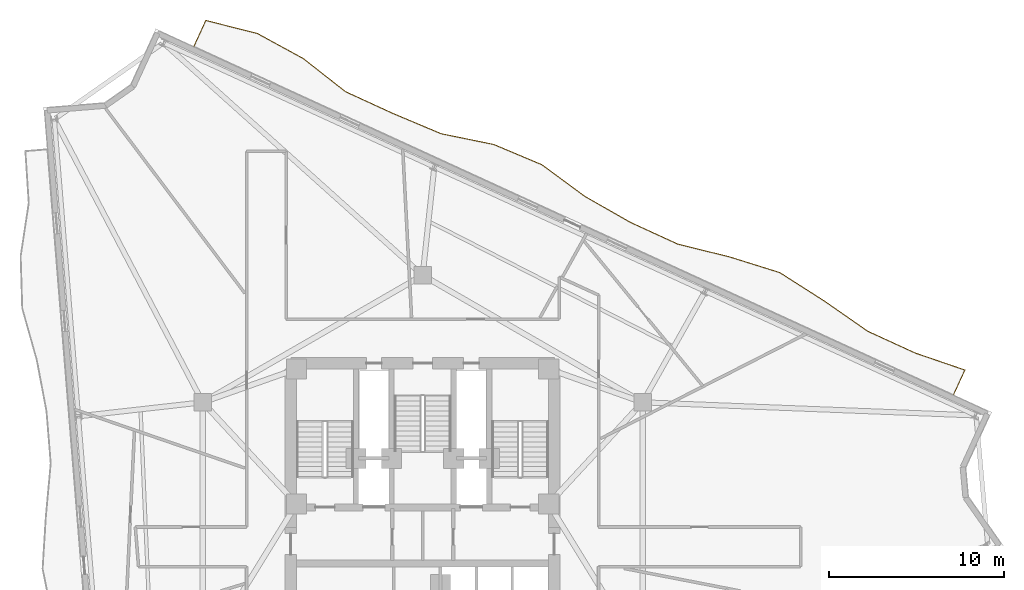
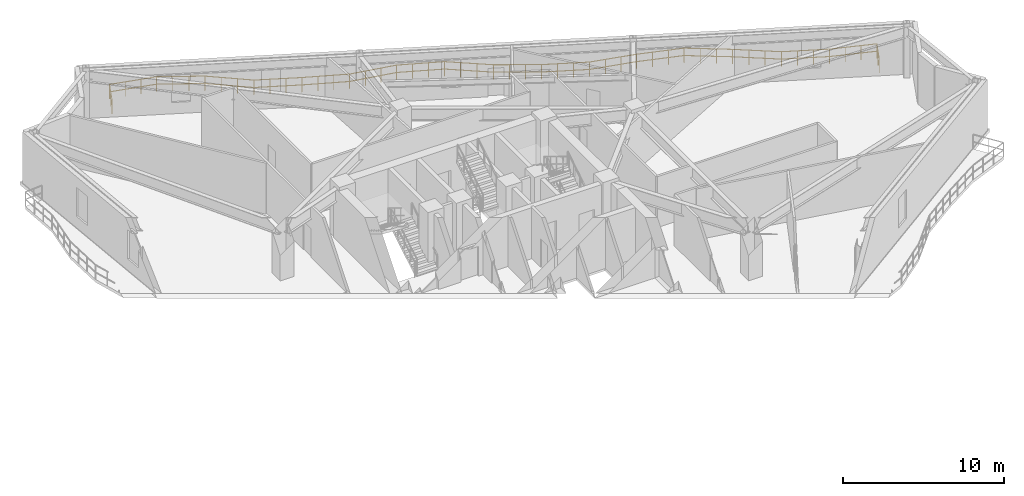
# One storey, part 12 of 12: 1 railing.
"""IFC4 building model written with IfcOpenShell, lengths in metres."""

import ifcopenshell
import ifcopenshell.guid

model = None  # the IFC model being written
_history = None  # IfcOwnerHistory: only IFC2X3 demands one
_inside = {}  # id of a spatial element -> (the spatial element, [elements in it])
_under = {}  # id of a project, library or spatial element -> (it, [spatial elements below it])
_declared = {}  # id of a project -> (the project, [libraries it declares])
_typed = {}  # id of a type object -> (the type object, [elements of that type])
_made_of = {}  # id of a material, layer set ... -> (it, [elements and type objects made of it])


def new_model(schema):
    """Start an empty IFC model of exactly this schema.

    Asked for "IFC4X3", IfcOpenShell would pick the latest addendum, in which some entities
    have other attributes; the version numbers below select the first issue.
    IFC2X3 requires an IfcOwnerHistory on every rooted entity: one is made here for all.
    """
    global model, _history
    if schema == "IFC4X3":
        model = ifcopenshell.file(schema_version=(4, 3, 0, 0))
    else:
        model = ifcopenshell.file(schema=schema)
    _inside.clear()
    _under.clear()
    _declared.clear()
    _typed.clear()
    _made_of.clear()
    _history = None
    if model.schema == "IFC2X3":
        org = make("IfcOrganization", Name="unknown")
        user = make(
            "IfcPersonAndOrganization",
            ThePerson=make("IfcPerson", FamilyName="unknown"),
            TheOrganization=org,
        )
        app = make(
            "IfcApplication",
            ApplicationDeveloper=org,
            Version="unknown",
            ApplicationFullName="unknown",
            ApplicationIdentifier="unknown",
        )
        _history = make(
            "IfcOwnerHistory",
            OwningUser=user,
            OwningApplication=app,
            ChangeAction="ADDED",
            CreationDate=0,
        )
    return model


def make(cls, **values):
    """One entity of the class cls with the attributes given. An attribute that is None is left unset."""
    return model.create_entity(
        cls, **{name: value for name, value in values.items() if value is not None}
    )


def rooted(cls, **values):
    """An entity with a GlobalId (a new one), such as an element, a storey or a relation."""
    return make(cls, GlobalId=ifcopenshell.guid.new(), OwnerHistory=_history, **values)


def si_unit(unit_type, name, prefix=None):
    """IfcSIUnit, for example si_unit("LENGTHUNIT", "METRE", prefix="MILLI")."""
    return make("IfcSIUnit", UnitType=unit_type, Prefix=prefix, Name=name)


def assignment(units):
    """IfcUnitAssignment: the units of a project."""
    return None if units is None else make("IfcUnitAssignment", Units=units)


def point(xyz):
    """IfcCartesianPoint."""
    return None if xyz is None else make("IfcCartesianPoint", Coordinates=xyz)


def direction(xyz):
    """IfcDirection."""
    return None if xyz is None else make("IfcDirection", DirectionRatios=xyz)


def frame(location, z_axis=None, x_axis=None):
    """IfcAxis2Placement3D, a coordinate frame: its origin and axes. An axis left out is left unset."""
    return make(
        "IfcAxis2Placement3D",
        Location=point(location),
        Axis=direction(z_axis),
        RefDirection=direction(x_axis),
    )


def frame_2d(location, x_axis=None):
    """IfcAxis2Placement2D, a coordinate frame in the plane: its origin and x axis."""
    return make(
        "IfcAxis2Placement2D", Location=point(location), RefDirection=direction(x_axis)
    )


def origin():
    """The frame at (0, 0, 0) with its axes left unset."""
    return frame((0.0, 0.0, 0.0))


def origin_2d():
    """The frame at (0, 0) in the plane with its x axis left unset."""
    return frame_2d((0.0, 0.0))


def place(relative_to, where):
    """IfcLocalPlacement: puts the frame where relative to a parent placement (None: the world)."""
    return make(
        "IfcLocalPlacement", PlacementRelTo=relative_to, RelativePlacement=where
    )


def context(
    kind, dimensions, precision=None, world=None, true_north=None, identifier=None
):
    """IfcGeometricRepresentationContext, for example the 3D "Model" context."""
    return make(
        "IfcGeometricRepresentationContext",
        ContextIdentifier=identifier,
        ContextType=kind,
        CoordinateSpaceDimension=dimensions,
        Precision=precision,
        WorldCoordinateSystem=world,
        TrueNorth=true_north,
    )


def subcontext(parent, identifier, kind, view, scale=None):
    """IfcGeometricRepresentationSubContext, for example "Body" below "Model"."""
    return make(
        "IfcGeometricRepresentationSubContext",
        ContextIdentifier=identifier,
        ContextType=kind,
        ParentContext=parent,
        TargetScale=scale,
        TargetView=view,
    )


def project(units=None, contexts=None):
    """IfcProject with its units and contexts."""
    return rooted(
        "IfcProject",
        Name="project",
        RepresentationContexts=contexts,
        UnitsInContext=assignment(units),
    )


def spatial(cls, under=None, at=None, **own):
    """A site, building, storey or space (cls), placed at a placement, below another one or the project."""
    s = rooted(cls, ObjectPlacement=at, **own)
    if under is not None:
        _under.setdefault(under.id(), (under, []))[1].append(s)
    return s


def profile(cls, at=None, kind="AREA", **sizes):
    """A parametric profile (cls). Its sizes go by their IFC names, for example OverallWidth=200.0."""
    return make(cls, ProfileType=kind, Position=at, **sizes)


def rectangle(**sizes):
    """IfcRectangleProfileDef."""
    return profile("IfcRectangleProfileDef", **sizes)


def extrude(swept, where, along, depth):
    """IfcExtrudedAreaSolid: the profile swept, set in the frame where, extruded along a direction by depth."""
    return make(
        "IfcExtrudedAreaSolid",
        SweptArea=swept,
        Position=where,
        ExtrudedDirection=direction(along),
        Depth=depth,
    )


def shape(context_of_items, identifier, shape_type, items):
    """IfcShapeRepresentation: the items that make up one representation, for example the "Body"."""
    return make(
        "IfcShapeRepresentation",
        ContextOfItems=context_of_items,
        RepresentationIdentifier=identifier,
        RepresentationType=shape_type,
        Items=items,
    )


def material(Name=None, Category=None):
    """IfcMaterial."""
    return make("IfcMaterial", Name=Name, Category=Category)


def made_of(thing, what):
    """Note that an element or type object is made of a material, layer set ...; save() writes the relation."""
    if what is not None:
        _made_of.setdefault(what.id(), (what, []))[1].append(thing)
    return thing


def type_object(cls, material=None, **own):
    """A type object (cls), such as IfcWallType, which elements share."""
    return made_of(rooted(cls, **own), material)


def element(
    cls,
    number,
    at=None,
    inside=None,
    cuts=None,
    type_object=None,
    material=None,
    context=None,
    identifier="Body",
    shape_type=None,
    held_by="IfcProductDefinitionShape",
    body=None,
    shapes=None,
    **own,
):
    """One element of the class cls, such as IfcWall. Its Tag is "e" and its number.

    at: its placement. inside: the storey or other place that contains it. cuts: it is an
    opening in that element (IfcRelVoidsElement). A single representation is given by context,
    identifier, shape_type and body (its items); several are given by shapes. held_by: the class
    of the entity that holds the representations. save() writes the other relations.
    """
    e = rooted(cls, Tag="e%d" % number, ObjectPlacement=at, **own)
    if body is not None:
        shapes = [shape(context, identifier, shape_type, body)]
    if shapes is not None:
        e.Representation = make(held_by, Representations=shapes)
    if inside is not None:
        _inside.setdefault(inside.id(), (inside, []))[1].append(e)
    if cuts is not None:
        rooted(
            "IfcRelVoidsElement", RelatingBuildingElement=cuts, RelatedOpeningElement=e
        )
    if type_object is not None:
        _typed.setdefault(type_object.id(), (type_object, []))[1].append(e)
    return made_of(e, material)


def aggregate(whole, parts):
    """IfcRelAggregates: a whole, such as a stair, and the parts it consists of."""
    return rooted("IfcRelAggregates", RelatingObject=whole, RelatedObjects=parts)


def save(model, path):
    """Write the relations noted so far, then the file.

    IfcRelAggregates (storeys below a building ...), IfcRelContainedInSpatialStructure (elements
    in a storey), IfcRelDefinesByType, IfcRelAssociatesMaterial and IfcRelDeclares: one each for
    every whole, place, type object, material and project.
    """
    for whole, parts in _under.values():
        aggregate(whole, parts)
    for where, things in _inside.values():
        rooted(
            "IfcRelContainedInSpatialStructure",
            RelatedElements=things,
            RelatingStructure=where,
        )
    for kind, things in _typed.values():
        rooted("IfcRelDefinesByType", RelatedObjects=things, RelatingType=kind)
    for what, things in _made_of.values():
        rooted("IfcRelAssociatesMaterial", RelatedObjects=things, RelatingMaterial=what)
    for by, libraries in _declared.values():
        rooted("IfcRelDeclares", RelatingContext=by, RelatedDefinitions=libraries)
    model.write(path)


model = new_model("IFC4")

# Units and contexts
model_context = context("Model", 3, precision=1e-05, world=origin(), true_north=direction((0.0, 1.0)))
body_context = subcontext(model_context, "Body", "Model", "MODEL_VIEW")
ifc_project = project(units=[si_unit("LENGTHUNIT", "METRE"), si_unit("AREAUNIT", "SQUARE_METRE"), si_unit("VOLUMEUNIT", "CUBIC_METRE"), si_unit("PLANEANGLEUNIT", "RADIAN"), si_unit("MASSUNIT", "GRAM", prefix="KILO")], contexts=[model_context])

# Site, building, storey
site_placement = place(None, origin())
site = spatial("IfcSite", under=ifc_project, at=site_placement, CompositionType="ELEMENT")
building_placement = place(site_placement, origin())
building = spatial("IfcBuilding", under=site, at=building_placement, Name="Apsidion Concourse Tower", CompositionType="ELEMENT")
storey_placement = place(building_placement, frame((0.0, 0.0, 198.300048828125)))
storey = spatial("IfcBuildingStorey", under=building, at=storey_placement, Name="L46", CompositionType="ELEMENT", Elevation=198.300048828125)

# Railing
ifc_material = material(Name="Brushed stainless steel 316", Category="steel")
railing_type = type_object("IfcRailingType", Name="RL-BAL-1120", PredefinedType="BALUSTRADE", material=ifc_material)
railing_placement = place(storey_placement, frame((-13.060546875, 27.586181640625, 0.0)))
element("IfcRailing", 1, at=railing_placement, inside=storey, type_object=railing_type, Name="L46 Face 3 Rippling Balcony Balustrade", PredefinedType="BALUSTRADE", context=body_context, shape_type="SweptSolid", body=[
    extrude(rectangle(XDim=0.048095703125, YDim=0.048095703125, at=origin_2d()), frame((0.0, 0.0, 1.09619140625), z_axis=(0.416867544963, 0.90896724361, 0.0), x_axis=(-0.90896724361, 0.416867544963, 0.0)), (0.0, 0.0, 1.0), 1.619384765625),
    extrude(rectangle(XDim=0.048095703125, YDim=0.048095703125, at=origin_2d()), frame((0.0, 0.0, 0.5361328125), z_axis=(0.416867544963, 0.90896724361, 0.0), x_axis=(-0.90896724361, 0.416867544963, 0.0)), (0.0, 0.0, 1.0), 1.619384765625),
    extrude(rectangle(XDim=0.048095703125, YDim=0.048095703125, at=origin_2d()), frame((0.675048828125, 1.471923828125, 1.09619140625), z_axis=(0.969714963115, -0.244239411872, 0.0), x_axis=(0.244239411872, 0.969714963115, 0.0)), (0.0, 0.0, 1.0), 3.03369140625),
    extrude(rectangle(XDim=0.048095703125, YDim=0.048095703125, at=origin_2d()), frame((0.675048828125, 1.471923828125, 0.5361328125), z_axis=(0.969714963115, -0.244239411872, 0.0), x_axis=(0.244239411872, 0.969714963115, 0.0)), (0.0, 0.0, 1.0), 3.03369140625),
    extrude(rectangle(XDim=0.048095703125, YDim=0.048095703125, at=origin_2d()), frame((3.616943359375, 0.73095703125, 1.09619140625), z_axis=(0.877783230051, -0.47905803515, 0.0), x_axis=(0.47905803515, 0.877783230051, 0.0)), (0.0, 0.0, 1.0), 2.990478515625),
    extrude(rectangle(XDim=0.048095703125, YDim=0.048095703125, at=origin_2d()), frame((3.616943359375, 0.73095703125, 0.5361328125), z_axis=(0.877783230051, -0.47905803515, 0.0), x_axis=(0.47905803515, 0.877783230051, 0.0)), (0.0, 0.0, 1.0), 2.990478515625),
    extrude(rectangle(XDim=0.048095703125, YDim=0.048095703125, at=origin_2d()), frame((6.241943359375, -0.70166015625, 1.09619140625), z_axis=(0.786812489971, -0.617192114035, 0.0), x_axis=(0.617192114035, 0.786812489971, 0.0)), (0.0, 0.0, 1.0), 3.067138671875),
    extrude(rectangle(XDim=0.048095703125, YDim=0.048095703125, at=origin_2d()), frame((6.241943359375, -0.70166015625, 0.5361328125), z_axis=(0.786812489971, -0.617192114035, 0.0), x_axis=(0.617192114035, 0.786812489971, 0.0)), (0.0, 0.0, 1.0), 3.067138671875),
    extrude(rectangle(XDim=0.048095703125, YDim=0.048095703125, at=origin_2d()), frame((8.6552734375, -2.5947265625, 1.09619140625), z_axis=(0.908903293118, -0.417006958887, 0.0), x_axis=(0.417006958887, 0.908903293118, 0.0)), (0.0, 0.0, 1.0), 2.98291015625),
    extrude(rectangle(XDim=0.048095703125, YDim=0.048095703125, at=origin_2d()), frame((8.6552734375, -2.5947265625, 0.5361328125), z_axis=(0.908903293118, -0.417006958887, 0.0), x_axis=(0.417006958887, 0.908903293118, 0.0)), (0.0, 0.0, 1.0), 2.98291015625),
    extrude(rectangle(XDim=0.048095703125, YDim=0.048095703125, at=origin_2d()), frame((11.366455078125, -3.838623046875, 1.09619140625), z_axis=(0.921876936991, -0.387482790641, 0.0), x_axis=(0.387482790641, 0.921876936991, 0.0)), (0.0, 0.0, 1.0), 2.984619140625),
    extrude(rectangle(XDim=0.048095703125, YDim=0.048095703125, at=origin_2d()), frame((11.366455078125, -3.838623046875, 0.5361328125), z_axis=(0.921876936991, -0.387482790641, 0.0), x_axis=(0.387482790641, 0.921876936991, 0.0)), (0.0, 0.0, 1.0), 2.984619140625),
    extrude(rectangle(XDim=0.048095703125, YDim=0.048095703125, at=origin_2d()), frame((14.117919921875, -4.9951171875, 1.09619140625), z_axis=(0.979709596023, -0.20042232276, 0.0), x_axis=(0.20042232276, 0.979709596023, 0.0)), (0.0, 0.0, 1.0), 3.0625),
    extrude(rectangle(XDim=0.048095703125, YDim=0.048095703125, at=origin_2d()), frame((14.117919921875, -4.9951171875, 0.5361328125), z_axis=(0.979709596023, -0.20042232276, 0.0), x_axis=(0.20042232276, 0.979709596023, 0.0)), (0.0, 0.0, 1.0), 3.0625),
    extrude(rectangle(XDim=0.048095703125, YDim=0.048095703125, at=origin_2d()), frame((17.1181640625, -5.60888671875, 1.09619140625), z_axis=(0.921793906225, -0.387680273482, 0.0), x_axis=(0.387680273482, 0.921793906225, 0.0)), (0.0, 0.0, 1.0), 2.984375),
    extrude(rectangle(XDim=0.048095703125, YDim=0.048095703125, at=origin_2d()), frame((17.1181640625, -5.60888671875, 0.5361328125), z_axis=(0.921793906225, -0.387680273482, 0.0), x_axis=(0.387680273482, 0.921793906225, 0.0)), (0.0, 0.0, 1.0), 2.984375),
    extrude(rectangle(XDim=0.048095703125, YDim=0.048095703125, at=origin_2d()), frame((19.869140625, -6.765869140625, 1.09619140625), z_axis=(0.805229011, -0.59296394481, 0.0), x_axis=(0.59296394481, 0.805229011, 0.0)), (0.0, 0.0, 1.0), 3.046875),
    extrude(rectangle(XDim=0.048095703125, YDim=0.048095703125, at=origin_2d()), frame((19.869140625, -6.765869140625, 0.5361328125), z_axis=(0.805229011, -0.59296394481, 0.0), x_axis=(0.59296394481, 0.805229011, 0.0)), (0.0, 0.0, 1.0), 3.046875),
    extrude(rectangle(XDim=0.048095703125, YDim=0.048095703125, at=origin_2d()), frame((22.322509765625, -8.572509765625, 1.09619140625), z_axis=(0.868413668034, -0.495840398891, 0.0), x_axis=(0.495840398891, 0.868413668034, 0.0)), (0.0, 0.0, 1.0), 2.99462890625),
    extrude(rectangle(XDim=0.048095703125, YDim=0.048095703125, at=origin_2d()), frame((22.322509765625, -8.572509765625, 0.5361328125), z_axis=(0.868413668034, -0.495840398891, 0.0), x_axis=(0.495840398891, 0.868413668034, 0.0)), (0.0, 0.0, 1.0), 2.99462890625),
    extrude(rectangle(XDim=0.048095703125, YDim=0.048095703125, at=origin_2d()), frame((24.923095703125, -10.057373046875, 1.09619140625), z_axis=(0.9089485399, -0.416908325432, 0.0), x_axis=(0.416908325432, 0.9089485399, 0.0)), (0.0, 0.0, 1.0), 2.983154296875),
    extrude(rectangle(XDim=0.048095703125, YDim=0.048095703125, at=origin_2d()), frame((24.923095703125, -10.057373046875, 0.5361328125), z_axis=(0.9089485399, -0.416908325432, 0.0), x_axis=(0.416908325432, 0.9089485399, 0.0)), (0.0, 0.0, 1.0), 2.983154296875),
    extrude(rectangle(XDim=0.048095703125, YDim=0.048095703125, at=origin_2d()), frame((27.634521484375, -11.301025390625, 1.09619140625), z_axis=(0.970917773604, -0.239413192829, 0.0), x_axis=(0.239413192829, 0.970917773604, 0.0)), (0.0, 0.0, 1.0), 3.036865234375),
    extrude(rectangle(XDim=0.048095703125, YDim=0.048095703125, at=origin_2d()), frame((27.634521484375, -11.301025390625, 0.5361328125), z_axis=(0.970917773604, -0.239413192829, 0.0), x_axis=(0.239413192829, 0.970917773604, 0.0)), (0.0, 0.0, 1.0), 3.036865234375),
    extrude(rectangle(XDim=0.048095703125, YDim=0.048095703125, at=origin_2d()), frame((30.5830078125, -12.028076171875, 1.09619140625), z_axis=(0.95445108088, -0.298367448302, 0.0), x_axis=(0.298367448302, 0.95445108088, 0.0)), (0.0, 0.0, 1.0), 3.007080078125),
    extrude(rectangle(XDim=0.048095703125, YDim=0.048095703125, at=origin_2d()), frame((30.5830078125, -12.028076171875, 0.5361328125), z_axis=(0.95445108088, -0.298367448302, 0.0), x_axis=(0.298367448302, 0.95445108088, 0.0)), (0.0, 0.0, 1.0), 3.007080078125),
    extrude(rectangle(XDim=0.048095703125, YDim=0.048095703125, at=origin_2d()), frame((33.453125, -12.92529296875, 1.09619140625), z_axis=(0.843116938821, -0.537730255308, 0.0), x_axis=(0.537730255308, 0.843116938821, 0.0)), (0.0, 0.0, 1.0), 3.011474609375),
    extrude(rectangle(XDim=0.048095703125, YDim=0.048095703125, at=origin_2d()), frame((33.453125, -12.92529296875, 0.5361328125), z_axis=(0.843116938821, -0.537730255308, 0.0), x_axis=(0.537730255308, 0.843116938821, 0.0)), (0.0, 0.0, 1.0), 3.011474609375),
    extrude(rectangle(XDim=0.048095703125, YDim=0.048095703125, at=origin_2d()), frame((35.9921875, -14.544677734375, 1.09619140625), z_axis=(0.820754123439, -0.571281602064, 0.0), x_axis=(0.571281602064, 0.820754123439, 0.0)), (0.0, 0.0, 1.0), 3.03076171875),
    extrude(rectangle(XDim=0.048095703125, YDim=0.048095703125, at=origin_2d()), frame((35.9921875, -14.544677734375, 0.5361328125), z_axis=(0.820754123439, -0.571281602064, 0.0), x_axis=(0.571281602064, 0.820754123439, 0.0)), (0.0, 0.0, 1.0), 3.03076171875),
    extrude(rectangle(XDim=0.048095703125, YDim=0.048095703125, at=origin_2d()), frame((38.479736328125, -16.276123046875, 1.09619140625), z_axis=(0.9089485399, -0.416908325432, 0.0), x_axis=(0.416908325432, 0.9089485399, 0.0)), (0.0, 0.0, 1.0), 2.983154296875),
    extrude(rectangle(XDim=0.048095703125, YDim=0.048095703125, at=origin_2d()), frame((38.479736328125, -16.276123046875, 0.5361328125), z_axis=(0.9089485399, -0.416908325432, 0.0), x_axis=(0.416908325432, 0.9089485399, 0.0)), (0.0, 0.0, 1.0), 2.983154296875),
    extrude(rectangle(XDim=0.048095703125, YDim=0.048095703125, at=origin_2d()), frame((41.191162109375, -17.519775390625, 1.09619140625), z_axis=(0.946078632605, -0.323937063221, 0.0), x_axis=(0.323937063221, 0.946078632605, 0.0)), (0.0, 0.0, 1.0), 2.998046875),
    extrude(rectangle(XDim=0.048095703125, YDim=0.048095703125, at=origin_2d()), frame((41.191162109375, -17.519775390625, 0.5361328125), z_axis=(0.946078632605, -0.323937063221, 0.0), x_axis=(0.323937063221, 0.946078632605, 0.0)), (0.0, 0.0, 1.0), 2.998046875),
    extrude(rectangle(XDim=0.048095703125, YDim=0.048095703125, at=origin_2d()), frame((44.027587890625, -18.490966796875, 1.09619140625), z_axis=(-0.416969283994, -0.908920577501, 0.0), x_axis=(0.908920577501, -0.416969283994, 0.0)), (0.0, 0.0, 1.0), 1.5498046875),
    extrude(rectangle(XDim=0.048095703125, YDim=0.048095703125, at=origin_2d()), frame((44.027587890625, -18.490966796875, 0.5361328125), z_axis=(-0.416969283994, -0.908920577501, 0.0), x_axis=(0.908920577501, -0.416969283994, 0.0)), (0.0, 0.0, 1.0), 1.5498046875),
    extrude(rectangle(XDim=0.0419921875, YDim=0.0419921875, at=origin_2d()), origin(), (0.0, 0.0, 1.0), 1.072021484375),
    extrude(rectangle(XDim=0.0419921875, YDim=0.0419921875, at=origin_2d()), frame((0.33740234375, 0.73583984375, 0.0)), (0.0, 0.0, 1.0), 1.072021484375),
    extrude(rectangle(XDim=0.0419921875, YDim=0.0419921875, at=origin_2d()), frame((0.675048828125, 1.471923828125, 0.0)), (0.0, 0.0, 1.0), 1.072021484375),
    extrude(rectangle(XDim=0.0419921875, YDim=0.0419921875, at=origin_2d()), frame((1.65576171875, 1.224853515625, 0.0)), (0.0, 0.0, 1.0), 1.072021484375),
    extrude(rectangle(XDim=0.0419921875, YDim=0.0419921875, at=origin_2d()), frame((2.63623046875, 0.97802734375, 0.0)), (0.0, 0.0, 1.0), 1.072021484375),
    extrude(rectangle(XDim=0.0419921875, YDim=0.0419921875, at=origin_2d()), frame((3.616943359375, 0.73095703125, 0.0)), (0.0, 0.0, 1.0), 1.072021484375),
    extrude(rectangle(XDim=0.0419921875, YDim=0.0419921875, at=origin_2d()), frame((4.491943359375, 0.25341796875, 0.0)), (0.0, 0.0, 1.0), 1.072021484375),
    extrude(rectangle(XDim=0.0419921875, YDim=0.0419921875, at=origin_2d()), frame((5.366943359375, -0.22412109375, 0.0)), (0.0, 0.0, 1.0), 1.072021484375),
    extrude(rectangle(XDim=0.0419921875, YDim=0.0419921875, at=origin_2d()), frame((6.241943359375, -0.70166015625, 0.0)), (0.0, 0.0, 1.0), 1.072021484375),
    extrude(rectangle(XDim=0.0419921875, YDim=0.0419921875, at=origin_2d()), frame((7.04638671875, -1.332763671875, 0.0)), (0.0, 0.0, 1.0), 1.072021484375),
    extrude(rectangle(XDim=0.0419921875, YDim=0.0419921875, at=origin_2d()), frame((7.850830078125, -1.963623046875, 0.0)), (0.0, 0.0, 1.0), 1.072021484375),
    extrude(rectangle(XDim=0.0419921875, YDim=0.0419921875, at=origin_2d()), frame((8.6552734375, -2.5947265625, 0.0)), (0.0, 0.0, 1.0), 1.072021484375),
    extrude(rectangle(XDim=0.0419921875, YDim=0.0419921875, at=origin_2d()), frame((9.55908203125, -3.00927734375, 0.0)), (0.0, 0.0, 1.0), 1.072021484375),
    extrude(rectangle(XDim=0.0419921875, YDim=0.0419921875, at=origin_2d()), frame((10.462646484375, -3.424072265625, 0.0)), (0.0, 0.0, 1.0), 1.072021484375),
    extrude(rectangle(XDim=0.0419921875, YDim=0.0419921875, at=origin_2d()), frame((11.366455078125, -3.838623046875, 0.0)), (0.0, 0.0, 1.0), 1.072021484375),
    extrude(rectangle(XDim=0.0419921875, YDim=0.0419921875, at=origin_2d()), frame((12.28369140625, -4.22412109375, 0.0)), (0.0, 0.0, 1.0), 1.072021484375),
    extrude(rectangle(XDim=0.0419921875, YDim=0.0419921875, at=origin_2d()), frame((13.20068359375, -4.609619140625, 0.0)), (0.0, 0.0, 1.0), 1.072021484375),
    extrude(rectangle(XDim=0.0419921875, YDim=0.0419921875, at=origin_2d()), frame((14.117919921875, -4.9951171875, 0.0)), (0.0, 0.0, 1.0), 1.072021484375),
    extrude(rectangle(XDim=0.0419921875, YDim=0.0419921875, at=origin_2d()), frame((15.117919921875, -5.19970703125, 0.0)), (0.0, 0.0, 1.0), 1.072021484375),
    extrude(rectangle(XDim=0.0419921875, YDim=0.0419921875, at=origin_2d()), frame((16.1181640625, -5.404296875, 0.0)), (0.0, 0.0, 1.0), 1.072021484375),
    extrude(rectangle(XDim=0.0419921875, YDim=0.0419921875, at=origin_2d()), frame((17.1181640625, -5.60888671875, 0.0)), (0.0, 0.0, 1.0), 1.072021484375),
    extrude(rectangle(XDim=0.0419921875, YDim=0.0419921875, at=origin_2d()), frame((18.03515625, -5.99462890625, 0.0)), (0.0, 0.0, 1.0), 1.072021484375),
    extrude(rectangle(XDim=0.0419921875, YDim=0.0419921875, at=origin_2d()), frame((18.9521484375, -6.380126953125, 0.0)), (0.0, 0.0, 1.0), 1.072021484375),
    extrude(rectangle(XDim=0.0419921875, YDim=0.0419921875, at=origin_2d()), frame((19.869140625, -6.765869140625, 0.0)), (0.0, 0.0, 1.0), 1.072021484375),
    extrude(rectangle(XDim=0.0419921875, YDim=0.0419921875, at=origin_2d()), frame((20.68701171875, -7.3681640625, 0.0)), (0.0, 0.0, 1.0), 1.072021484375),
    extrude(rectangle(XDim=0.0419921875, YDim=0.0419921875, at=origin_2d()), frame((21.504638671875, -7.97021484375, 0.0)), (0.0, 0.0, 1.0), 1.072021484375),
    extrude(rectangle(XDim=0.0419921875, YDim=0.0419921875, at=origin_2d()), frame((22.322509765625, -8.572509765625, 0.0)), (0.0, 0.0, 1.0), 1.072021484375),
    extrude(rectangle(XDim=0.0419921875, YDim=0.0419921875, at=origin_2d()), frame((23.189453125, -9.0673828125, 0.0)), (0.0, 0.0, 1.0), 1.072021484375),
    extrude(rectangle(XDim=0.0419921875, YDim=0.0419921875, at=origin_2d()), frame((24.05615234375, -9.5625, 0.0)), (0.0, 0.0, 1.0), 1.072021484375),
    extrude(rectangle(XDim=0.0419921875, YDim=0.0419921875, at=origin_2d()), frame((24.923095703125, -10.057373046875, 0.0)), (0.0, 0.0, 1.0), 1.072021484375),
    extrude(rectangle(XDim=0.0419921875, YDim=0.0419921875, at=origin_2d()), frame((25.826904296875, -10.471923828125, 0.0)), (0.0, 0.0, 1.0), 1.072021484375),
    extrude(rectangle(XDim=0.0419921875, YDim=0.0419921875, at=origin_2d()), frame((26.730712890625, -10.886474609375, 0.0)), (0.0, 0.0, 1.0), 1.072021484375),
    extrude(rectangle(XDim=0.0419921875, YDim=0.0419921875, at=origin_2d()), frame((27.634521484375, -11.301025390625, 0.0)), (0.0, 0.0, 1.0), 1.072021484375),
    extrude(rectangle(XDim=0.0419921875, YDim=0.0419921875, at=origin_2d()), frame((28.617431640625, -11.54345703125, 0.0)), (0.0, 0.0, 1.0), 1.072021484375),
    extrude(rectangle(XDim=0.0419921875, YDim=0.0419921875, at=origin_2d()), frame((29.60009765625, -11.78564453125, 0.0)), (0.0, 0.0, 1.0), 1.072021484375),
    extrude(rectangle(XDim=0.0419921875, YDim=0.0419921875, at=origin_2d()), frame((30.5830078125, -12.028076171875, 0.0)), (0.0, 0.0, 1.0), 1.072021484375),
    extrude(rectangle(XDim=0.0419921875, YDim=0.0419921875, at=origin_2d()), frame((31.539794921875, -12.3271484375, 0.0)), (0.0, 0.0, 1.0), 1.072021484375),
    extrude(rectangle(XDim=0.0419921875, YDim=0.0419921875, at=origin_2d()), frame((32.496337890625, -12.626220703125, 0.0)), (0.0, 0.0, 1.0), 1.072021484375),
    extrude(rectangle(XDim=0.0419921875, YDim=0.0419921875, at=origin_2d()), frame((33.453125, -12.92529296875, 0.0)), (0.0, 0.0, 1.0), 1.072021484375),
    extrude(rectangle(XDim=0.0419921875, YDim=0.0419921875, at=origin_2d()), frame((34.299560546875, -13.465087890625, 0.0)), (0.0, 0.0, 1.0), 1.072021484375),
    extrude(rectangle(XDim=0.0419921875, YDim=0.0419921875, at=origin_2d()), frame((35.145751953125, -14.0048828125, 0.0)), (0.0, 0.0, 1.0), 1.072021484375),
    extrude(rectangle(XDim=0.0419921875, YDim=0.0419921875, at=origin_2d()), frame((35.9921875, -14.544677734375, 0.0)), (0.0, 0.0, 1.0), 1.072021484375),
    extrude(rectangle(XDim=0.0419921875, YDim=0.0419921875, at=origin_2d()), frame((36.8212890625, -15.121826171875, 0.0)), (0.0, 0.0, 1.0), 1.072021484375),
    extrude(rectangle(XDim=0.0419921875, YDim=0.0419921875, at=origin_2d()), frame((37.650634765625, -15.698974609375, 0.0)), (0.0, 0.0, 1.0), 1.072021484375),
    extrude(rectangle(XDim=0.0419921875, YDim=0.0419921875, at=origin_2d()), frame((38.479736328125, -16.276123046875, 0.0)), (0.0, 0.0, 1.0), 1.072021484375),
    extrude(rectangle(XDim=0.0419921875, YDim=0.0419921875, at=origin_2d()), frame((39.383544921875, -16.690673828125, 0.0)), (0.0, 0.0, 1.0), 1.072021484375),
    extrude(rectangle(XDim=0.0419921875, YDim=0.0419921875, at=origin_2d()), frame((40.287353515625, -17.105224609375, 0.0)), (0.0, 0.0, 1.0), 1.072021484375),
    extrude(rectangle(XDim=0.0419921875, YDim=0.0419921875, at=origin_2d()), frame((41.191162109375, -17.519775390625, 0.0)), (0.0, 0.0, 1.0), 1.072021484375),
    extrude(rectangle(XDim=0.0419921875, YDim=0.0419921875, at=origin_2d()), frame((42.13671875, -17.843505859375, 0.0)), (0.0, 0.0, 1.0), 1.072021484375),
    extrude(rectangle(XDim=0.0419921875, YDim=0.0419921875, at=origin_2d()), frame((43.08203125, -18.167236328125, 0.0)), (0.0, 0.0, 1.0), 1.072021484375),
    extrude(rectangle(XDim=0.0419921875, YDim=0.0419921875, at=origin_2d()), frame((44.027587890625, -18.490966796875, 0.0)), (0.0, 0.0, 1.0), 1.072021484375),
    extrude(rectangle(XDim=0.0419921875, YDim=0.0419921875, at=origin_2d()), frame((43.70458984375, -19.1953125, 0.0)), (0.0, 0.0, 1.0), 1.072021484375),
    extrude(rectangle(XDim=0.0419921875, YDim=0.0419921875, at=origin_2d()), frame((43.38134765625, -19.899658203125, 0.0)), (0.0, 0.0, 1.0), 1.072021484375),
])

save(model, "model.ifc")
